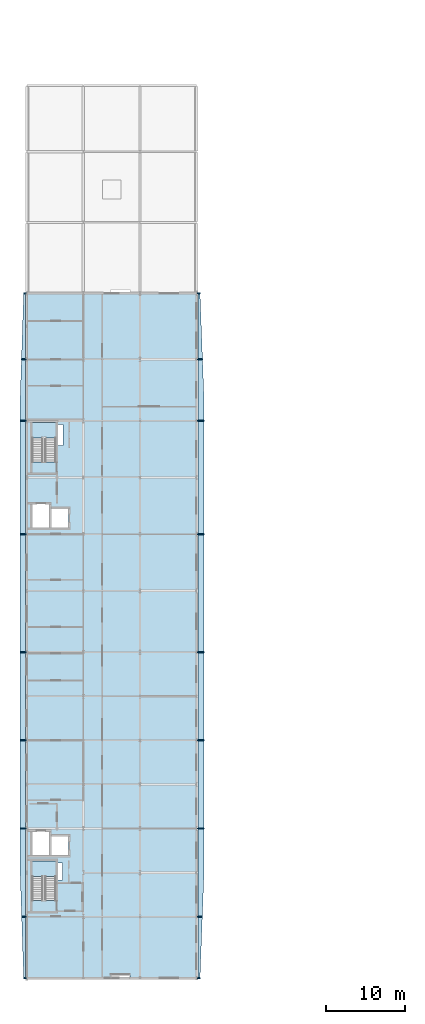
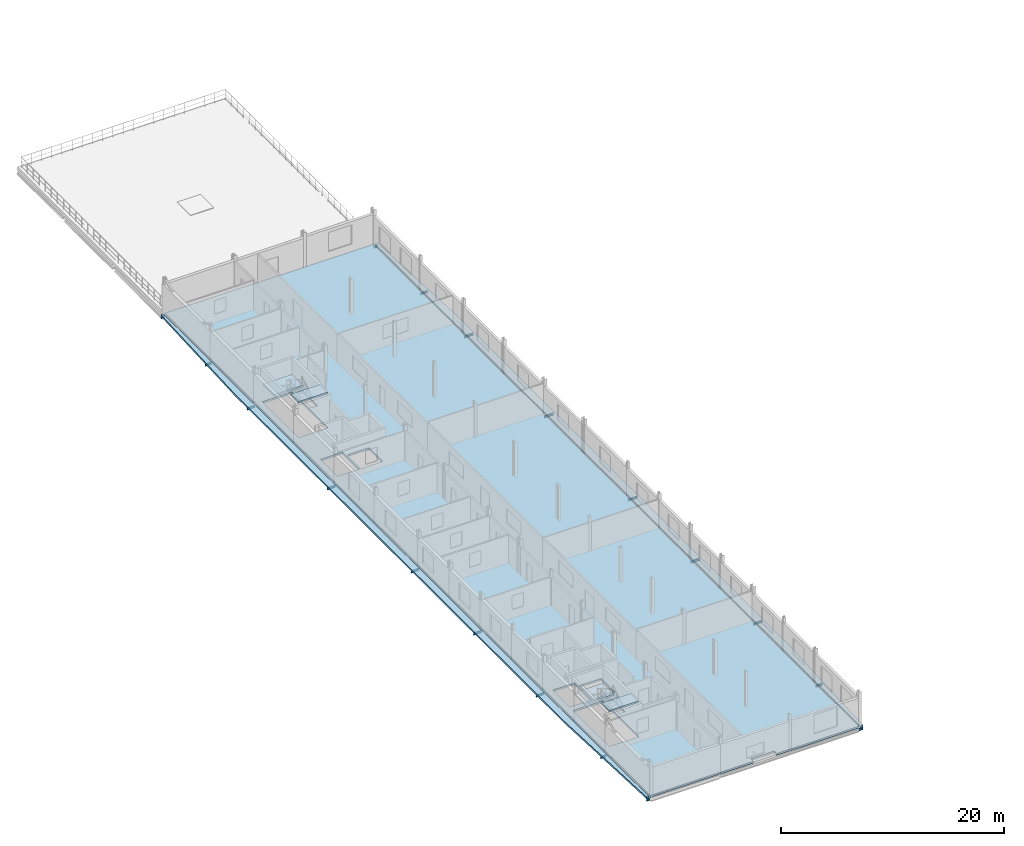
# One storey, part 7 of 17: 18 beams, 7 slabs, 2 elements without a shape of their own.
"""IFC4 building model written with IfcOpenShell, lengths in metres."""

from ifc_helpers import new_model, si_unit, direction, frame, origin, origin_2d, place, context, subcontext, project, spatial, polyline, i_section, outline, extrude, material, layer, layer_set, material_profile, profile_set, type_object, element, aggregate, save


model = new_model("IFC4")

# Units and contexts
model_context = context("Model", 3, precision=1e-05, world=origin(), true_north=direction((0.0, 1.0)))
body_context = subcontext(model_context, "Body", "Model", "MODEL_VIEW")
ifc_project = project(units=[si_unit("LENGTHUNIT", "METRE"), si_unit("AREAUNIT", "SQUARE_METRE"), si_unit("VOLUMEUNIT", "CUBIC_METRE"), si_unit("PLANEANGLEUNIT", "RADIAN"), si_unit("MASSUNIT", "GRAM", prefix="KILO")], contexts=[model_context])

# Site, building, storey
site_placement = place(None, origin())
site = spatial("IfcSite", under=ifc_project, at=site_placement, CompositionType="ELEMENT")
building_placement = place(site_placement, origin())
building = spatial("IfcBuilding", under=site, at=building_placement, Name="Vinh Khe Railworks Police Headquarters", CompositionType="ELEMENT")
storey_placement = place(building_placement, frame((0.0, 0.0, 24.89990234375)))
storey = spatial("IfcBuildingStorey", under=building, at=storey_placement, Name="L06", CompositionType="ELEMENT", Elevation=24.89990234375)

# Beams
ifc_material_1 = material(Name="Steel S355JR", Category="steel")
ifc_material_profile = material_profile(ifc_material_1, i_section(OverallWidth=0.1201171875, OverallDepth=0.239990234375, WebThickness=0.006103515625, FlangeThickness=0.009765625, FilletRadius=0.014892578125, at=origin_2d()), Name="IPE 240")
ifc_profile_set = profile_set([ifc_material_profile], Name="Steel S355JR")
beam_type = type_object("IfcBeamType", Name="Monsoon Hood Outrigger IPE 240", PredefinedType="BEAM", material=ifc_profile_set)
beam_1_placement = place(storey_placement, frame((0.21142578125, 17.39990234375, -0.35986328125), z_axis=(1.0, 0.0, 0.0), x_axis=(0.0, 1.0, 0.0)))
element("IfcBeam", 1, at=beam_1_placement, inside=storey, type_object=beam_type, Name="Monsoon Sun-Hood Outrigger L06-109", PredefinedType="BEAM", context=body_context, shape_type="SweptSolid", body=[
    extrude(i_section(OverallWidth=0.1201171875, OverallDepth=0.239990234375, WebThickness=0.006103515625, FlangeThickness=0.009765625, FilletRadius=0.014892578125, at=origin_2d()), origin(), (0.0, 0.0, 1.0), 0.388671875),
])
beam_2_placement = place(storey_placement, frame((-0.047119140625, 25.199951171875, -0.35986328125), z_axis=(1.0, 0.0, 0.0), x_axis=(0.0, 1.0, 0.0)))
element("IfcBeam", 2, at=beam_2_placement, inside=storey, type_object=beam_type, Name="Monsoon Sun-Hood Outrigger L06-110", PredefinedType="BEAM", context=body_context, shape_type="SweptSolid", body=[
    extrude(i_section(OverallWidth=0.1201171875, OverallDepth=0.239990234375, WebThickness=0.006103515625, FlangeThickness=0.009765625, FilletRadius=0.014892578125, at=origin_2d()), origin(), (0.0, 0.0, 1.0), 0.647216796875),
])
for number, where, z_axis, x_axis, name in (
    (3, (-0.25, 36.39990234375, -0.35986328125), (1.0, 0.0, 0.0), (0.0, 1.0, 0.0), "Monsoon Sun-Hood Outrigger L06-111"),
    (4, (-0.25, 47.60009765625, -0.35986328125), (1.0, 0.0, 0.0), (0.0, 1.0, 0.0), "Monsoon Sun-Hood Outrigger L06-112"),
    (5, (-0.25, 58.800048828125, -0.35986328125), (1.0, 0.0, 0.0), (0.0, 1.0, 0.0), "Monsoon Sun-Hood Outrigger L06-113"),
    (6, (-0.25, 73.800048828125, -0.35986328125), (1.0, 0.0, 0.0), (0.0, 1.0, 0.0), "Monsoon Sun-Hood Outrigger L06-114"),
    (7, (-0.25, 88.199951171875, -0.35986328125), (1.0, 0.0, 0.0), (0.0, 1.0, 0.0), "Monsoon Sun-Hood Outrigger L06-115"),
):
    element("IfcBeam", number, at=place(storey_placement, frame(where, z_axis=z_axis, x_axis=x_axis)), inside=storey, type_object=beam_type, Name=name, PredefinedType="BEAM", context=body_context, shape_type="SweptSolid", body=[
        extrude(i_section(OverallWidth=0.1201171875, OverallDepth=0.239990234375, WebThickness=0.006103515625, FlangeThickness=0.009765625, FilletRadius=0.014892578125, at=origin_2d()), origin(), (0.0, 0.0, 1.0), 0.85009765625),
    ])
beam_3_placement = place(storey_placement, frame((-0.06689453125, 96.0, -0.35986328125), z_axis=(1.0, 0.0, 0.0), x_axis=(0.0, 1.0, 0.0)))
element("IfcBeam", 8, at=beam_3_placement, inside=storey, type_object=beam_type, Name="Monsoon Sun-Hood Outrigger L06-116", PredefinedType="BEAM", context=body_context, shape_type="SweptSolid", body=[
    extrude(i_section(OverallWidth=0.1201171875, OverallDepth=0.239990234375, WebThickness=0.006103515625, FlangeThickness=0.009765625, FilletRadius=0.014892578125, at=origin_2d()), origin(), (0.0, 0.0, 1.0), 0.6669921875),
])
beam_4_placement = place(storey_placement, frame((0.21142578125, 104.39990234375, -0.35986328125), z_axis=(1.0, 0.0, 0.0), x_axis=(0.0, 1.0, 0.0)))
element("IfcBeam", 9, at=beam_4_placement, inside=storey, type_object=beam_type, Name="Monsoon Sun-Hood Outrigger L06-117", PredefinedType="BEAM", context=body_context, shape_type="SweptSolid", body=[
    extrude(i_section(OverallWidth=0.1201171875, OverallDepth=0.239990234375, WebThickness=0.006103515625, FlangeThickness=0.009765625, FilletRadius=0.014892578125, at=origin_2d()), origin(), (0.0, 0.0, 1.0), 0.388671875),
])
beam_5_placement = place(storey_placement, frame((22.199951171875, 17.39990234375, -0.35986328125), z_axis=(1.0, 0.0, 0.0), x_axis=(0.0, 1.0, 0.0)))
element("IfcBeam", 10, at=beam_5_placement, inside=storey, type_object=beam_type, Name="Monsoon Sun-Hood Outrigger L06-118", PredefinedType="BEAM", context=body_context, shape_type="SweptSolid", body=[
    extrude(i_section(OverallWidth=0.1201171875, OverallDepth=0.239990234375, WebThickness=0.006103515625, FlangeThickness=0.009765625, FilletRadius=0.014892578125, at=origin_2d()), origin(), (0.0, 0.0, 1.0), 0.423583984375),
])
beam_6_placement = place(storey_placement, frame((22.199951171875, 25.199951171875, -0.35986328125), z_axis=(1.0, 0.0, 0.0), x_axis=(0.0, 1.0, 0.0)))
element("IfcBeam", 11, at=beam_6_placement, inside=storey, type_object=beam_type, Name="Monsoon Sun-Hood Outrigger L06-119", PredefinedType="BEAM", context=body_context, shape_type="SweptSolid", body=[
    extrude(i_section(OverallWidth=0.1201171875, OverallDepth=0.239990234375, WebThickness=0.006103515625, FlangeThickness=0.009765625, FilletRadius=0.014892578125, at=origin_2d()), origin(), (0.0, 0.0, 1.0), 0.718505859375),
])
for number, where, z_axis, x_axis, name in (
    (12, (22.199951171875, 36.39990234375, -0.35986328125), (1.0, 0.0, 0.0), (0.0, 1.0, 0.0), "Monsoon Sun-Hood Outrigger L06-120"),
    (13, (22.199951171875, 47.60009765625, -0.35986328125), (1.0, 0.0, 0.0), (0.0, 1.0, 0.0), "Monsoon Sun-Hood Outrigger L06-121"),
    (14, (22.199951171875, 58.800048828125, -0.35986328125), (1.0, 0.0, 0.0), (0.0, 1.0, 0.0), "Monsoon Sun-Hood Outrigger L06-122"),
    (15, (22.199951171875, 73.800048828125, -0.35986328125), (1.0, 0.0, 0.0), (0.0, 1.0, 0.0), "Monsoon Sun-Hood Outrigger L06-123"),
    (16, (22.199951171875, 88.199951171875, -0.35986328125), (1.0, 0.0, 0.0), (0.0, 1.0, 0.0), "Monsoon Sun-Hood Outrigger L06-124"),
):
    element("IfcBeam", number, at=place(storey_placement, frame(where, z_axis=z_axis, x_axis=x_axis)), inside=storey, type_object=beam_type, Name=name, PredefinedType="BEAM", context=body_context, shape_type="SweptSolid", body=[
        extrude(i_section(OverallWidth=0.1201171875, OverallDepth=0.239990234375, WebThickness=0.006103515625, FlangeThickness=0.009765625, FilletRadius=0.014892578125, at=origin_2d()), origin(), (0.0, 0.0, 1.0), 0.949951171875),
    ])
beam_7_placement = place(storey_placement, frame((22.199951171875, 96.0, -0.35986328125), z_axis=(1.0, 0.0, 0.0), x_axis=(0.0, 1.0, 0.0)))
element("IfcBeam", 17, at=beam_7_placement, inside=storey, type_object=beam_type, Name="Monsoon Sun-Hood Outrigger L06-125", PredefinedType="BEAM", context=body_context, shape_type="SweptSolid", body=[
    extrude(i_section(OverallWidth=0.1201171875, OverallDepth=0.239990234375, WebThickness=0.006103515625, FlangeThickness=0.009765625, FilletRadius=0.014892578125, at=origin_2d()), origin(), (0.0, 0.0, 1.0), 0.7412109375),
])
beam_8_placement = place(storey_placement, frame((22.199951171875, 104.39990234375, -0.35986328125), z_axis=(1.0, 0.0, 0.0), x_axis=(0.0, 1.0, 0.0)))
element("IfcBeam", 18, at=beam_8_placement, inside=storey, type_object=beam_type, Name="Monsoon Sun-Hood Outrigger L06-126", PredefinedType="BEAM", context=body_context, shape_type="SweptSolid", body=[
    extrude(i_section(OverallWidth=0.1201171875, OverallDepth=0.239990234375, WebThickness=0.006103515625, FlangeThickness=0.009765625, FilletRadius=0.014892578125, at=origin_2d()), origin(), (0.0, 0.0, 1.0), 0.423583984375),
])

# Slabs
ifc_material_2 = material(Name="Concrete C35/45 (B35)", Category="concrete")
ifc_layer_1 = layer(ifc_material_2, 0.199951171875)
ifc_layer_set_1 = layer_set([ifc_layer_1], Name="Concrete C35/45 (B35)")
slab_type_1 = type_object("IfcSlabType", Name="Flat Structural Roof Slab 200", PredefinedType="ROOF", material=ifc_layer_set_1)
slab_1_placement = place(storey_placement, frame((0.0, 0.0, -0.239990234375)))
element("IfcSlab", 19, at=slab_1_placement, inside=storey, type_object=slab_type_1, Name="Monsoon Window Eyebrow Hood V5W (L06)", PredefinedType="ROOF", context=body_context, shape_type="SweptSolid", body=[
    extrude(outline(polyline([(0.4599609375, 17.39990234375), (0.4599609375, 104.39990234375), (0.21142578125, 104.39990234375), (-0.25, 90.47998046875), (-0.25, 31.320068359375), (0.21142578125, 17.39990234375), (0.4599609375, 17.39990234375)])), origin(), (0.0, 0.0, 1.0), 0.2001953125),
])
slab_2_placement = place(storey_placement, frame((0.0, 0.0, -0.239990234375)))
element("IfcSlab", 20, at=slab_2_placement, inside=storey, type_object=slab_type_1, Name="Monsoon Window Eyebrow Hood V5E (L06)", PredefinedType="ROOF", context=body_context, shape_type="SweptSolid", body=[
    extrude(outline(polyline([(22.340087890625, 17.39990234375), (22.62353515625, 17.39990234375), (23.14990234375, 31.320068359375), (23.14990234375, 90.47998046875), (22.62353515625, 104.39990234375), (22.340087890625, 104.39990234375), (22.340087890625, 17.39990234375)])), origin(), (0.0, 0.0, 1.0), 0.2001953125),
])

# Stair, slabs
ifc_material_3 = material(Name="Precast concrete C40/50 (B40)", Category="concrete")
stair_type = type_object("IfcStairType", Name="ST-CORE-DOGLEG", PredefinedType="HALF_TURN_STAIR", material=ifc_material_3)
stair_1_placement = place(storey_placement, origin())
stair_1 = element("IfcStair", 21, at=stair_1_placement, inside=storey, type_object=stair_type, Name="L06 Escape Stair ST-01", PredefinedType="HALF_TURN_STAIR")
ifc_layer_2 = layer(ifc_material_2, 0.199951171875)
ifc_layer_set_2 = layer_set([ifc_layer_2], Name="Concrete C35/45 (B35)")
slab_type_2 = type_object("IfcSlabType", Name="SLB-LAND-200", PredefinedType="LANDING", material=ifc_layer_set_2)
slab_3_placement = place(storey_placement, frame((0.0, 0.0, 1.75)))
slab_3 = element("IfcSlab", 22, at=slab_3_placement, type_object=slab_type_2, Name="ST-01 landing 1", PredefinedType="LANDING", context=body_context, shape_type="SweptSolid", body=[
    extrude(outline(polyline([(4.300048828125, 30.330078125), (4.300048828125, 32.300048828125), (1.300048828125, 32.300048828125), (1.300048828125, 30.330078125), (4.300048828125, 30.330078125)])), origin(), (0.0, 0.0, 1.0), 0.2001953125),
])
slab_4_placement = place(storey_placement, frame((0.0, 0.0, 3.7001953125)))
slab_4 = element("IfcSlab", 23, at=slab_4_placement, type_object=slab_type_2, Name="ST-01 landing 2", PredefinedType="LANDING", context=body_context, shape_type="SweptSolid", body=[
    extrude(outline(polyline([(1.280029296875, 25.8798828125), (4.320068359375, 25.8798828125), (4.320068359375, 27.260009765625), (1.280029296875, 27.260009765625), (1.280029296875, 25.8798828125)])), origin(), (0.0, 0.0, 1.0), 0.199951171875),
])
aggregate(stair_1, [slab_3, slab_4])

stair_2_placement = place(storey_placement, origin())
stair_2 = element("IfcStair", 24, at=stair_2_placement, inside=storey, type_object=stair_type, Name="L06 Escape Stair ST-02", PredefinedType="HALF_TURN_STAIR")
slab_5_placement = place(storey_placement, frame((0.0, 0.0, 1.75)))
slab_5 = element("IfcSlab", 25, at=slab_5_placement, type_object=slab_type_2, Name="ST-02 landing 1", PredefinedType="LANDING", context=body_context, shape_type="SweptSolid", body=[
    extrude(outline(polyline([(4.300048828125, 86.030029296875), (4.300048828125, 88.0), (1.300048828125, 88.0), (1.300048828125, 86.030029296875), (4.300048828125, 86.030029296875)])), origin(), (0.0, 0.0, 1.0), 0.2001953125),
])
slab_6_placement = place(storey_placement, frame((0.0, 0.0, 3.7001953125)))
slab_6 = element("IfcSlab", 26, at=slab_6_placement, type_object=slab_type_2, Name="ST-02 landing 2", PredefinedType="LANDING", context=body_context, shape_type="SweptSolid", body=[
    extrude(outline(polyline([(1.280029296875, 81.580078125), (4.320068359375, 81.580078125), (4.320068359375, 82.9599609375), (1.280029296875, 82.9599609375), (1.280029296875, 81.580078125)])), origin(), (0.0, 0.0, 1.0), 0.199951171875),
])
aggregate(stair_2, [slab_5, slab_6])

# Slab
ifc_layer_3 = layer(ifc_material_2, 0.199951171875)
ifc_layer_set_3 = layer_set([ifc_layer_3], Name="Concrete C35/45 (B35)")
slab_type_3 = type_object("IfcSlabType", Name="Suspended Floor Slab 200", PredefinedType="FLOOR", material=ifc_layer_set_3)
slab_7_placement = place(storey_placement, frame((0.0, 0.0, -0.199951171875)))
element("IfcSlab", 27, at=slab_7_placement, inside=storey, type_object=slab_type_3, Name="V5 Floor Slab (L06)", PredefinedType="FLOOR", context=body_context, shape_type="SweptSolid", body=[
    extrude(outline(polyline([(0.60009765625, 17.39990234375), (11.300048828125, 17.39990234375), (11.300048828125, 17.85009765625), (13.699951171875, 17.85009765625), (13.699951171875, 17.39990234375), (22.199951171875, 17.39990234375), (22.199951171875, 104.39990234375), (0.60009765625, 104.39990234375), (0.60009765625, 17.39990234375)]), holes=[polyline([(1.27001953125, 25.8701171875), (4.330078125, 25.8701171875), (4.330078125, 32.330078125), (1.27001953125, 32.330078125), (1.27001953125, 25.8701171875)]), polyline([(1.280029296875, 32.97998046875), (3.52001953125, 32.97998046875), (3.52001953125, 36.02001953125), (1.280029296875, 36.02001953125), (1.280029296875, 32.97998046875)]), polyline([(3.679931640625, 32.97998046875), (5.919921875, 32.97998046875), (5.919921875, 35.419921875), (3.679931640625, 35.419921875), (3.679931640625, 32.97998046875)]), polyline([(1.27001953125, 81.570068359375), (4.330078125, 81.570068359375), (4.330078125, 88.030029296875), (1.27001953125, 88.030029296875), (1.27001953125, 81.570068359375)]), polyline([(1.280029296875, 74.580078125), (3.52001953125, 74.580078125), (3.52001953125, 77.6201171875), (1.280029296875, 77.6201171875), (1.280029296875, 74.580078125)]), polyline([(3.679931640625, 74.580078125), (5.919921875, 74.580078125), (5.919921875, 77.02001953125), (3.679931640625, 77.02001953125), (3.679931640625, 74.580078125)]), polyline([(4.60009765625, 29.85009765625), (5.179931640625, 29.85009765625), (5.179931640625, 32.050048828125), (4.60009765625, 32.050048828125), (4.60009765625, 29.85009765625)]), polyline([(4.60009765625, 85.050048828125), (5.219970703125, 85.050048828125), (5.219970703125, 87.75), (4.60009765625, 87.75), (4.60009765625, 85.050048828125)])]), origin(), (0.0, 0.0, 1.0), 0.199951171875),
])

save(model, "model.ifc")
